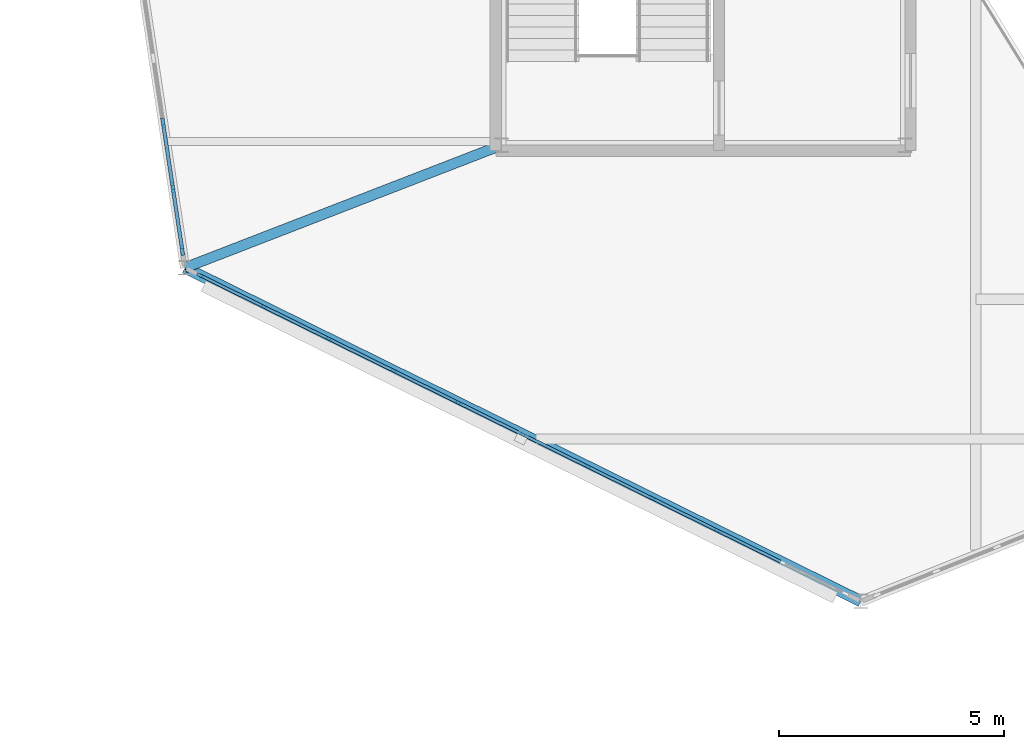
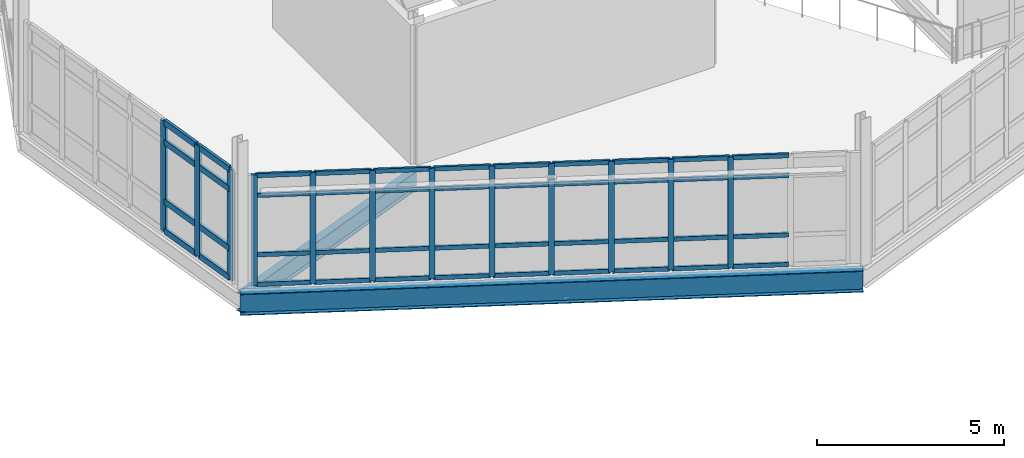
# One storey, part 14 of 76: 56 members, 2 beams, 2 elements without a shape of their own.
"""IFC4 building model written with IfcOpenShell, lengths in metres."""

from ifc_helpers import new_model, si_unit, direction, frame, origin, origin_2d, place, context, subcontext, project, spatial, rectangle, i_section, extrude, material, material_profile, profile_set, type_object, element, aggregate, save


model = new_model("IFC4")

# Units and contexts
model_context = context("Model", 3, precision=1e-05, world=origin(), true_north=direction((0.0, 1.0)))
body_context = subcontext(model_context, "Body", "Model", "MODEL_VIEW")
ifc_project = project(units=[si_unit("LENGTHUNIT", "METRE"), si_unit("AREAUNIT", "SQUARE_METRE"), si_unit("VOLUMEUNIT", "CUBIC_METRE"), si_unit("PLANEANGLEUNIT", "RADIAN"), si_unit("MASSUNIT", "GRAM", prefix="KILO")], contexts=[model_context])

# Site, building, storey
site_placement = place(None, origin())
site = spatial("IfcSite", under=ifc_project, at=site_placement, CompositionType="ELEMENT")
building_placement = place(site_placement, origin())
building = spatial("IfcBuilding", under=site, at=building_placement, Name="Tameran Prism Museum", CompositionType="ELEMENT")
storey_placement = place(building_placement, frame((0.0, 0.0, 15.0)))
storey = spatial("IfcBuildingStorey", under=building, at=storey_placement, Name="L03", CompositionType="ELEMENT", Elevation=15.0)

# Beams
ifc_material_1 = material(Name="Steel Grade 350 (350 MPa)", Category="steel")
ifc_material_profile_1 = material_profile(ifc_material_1, i_section(OverallWidth=0.25, OverallDepth=0.699951171875, WebThickness=0.010009765625, FlangeThickness=0.02001953125, at=origin_2d()))
ifc_profile_set_1 = profile_set([ifc_material_profile_1])
beam_type_1 = type_object("IfcBeamType", Name="BM-SP700", PredefinedType="SPANDREL", material=ifc_profile_set_1)
beam_1_placement = place(storey_placement, frame((51.0, 30.199951171875, -0.550048828125), z_axis=(0.896808201334, -0.44241954073, 0.0), x_axis=(0.44241954073, 0.896808201334, 0.0)))
element("IfcBeam", 1, at=beam_1_placement, inside=storey, type_object=beam_type_1, Name="Perimeter Spandrel SP-0956", PredefinedType="SPANDREL", context=body_context, shape_type="SweptSolid", body=[
    extrude(i_section(OverallWidth=0.25, OverallDepth=0.699951171875, WebThickness=0.010009765625, FlangeThickness=0.02001953125, at=origin_2d()), origin(), (0.0, 0.0, 1.0), 16.72607421875),
])
ifc_material_2 = material(Name="Steel Grade 300PLUS (300 MPa)", Category="steel")
ifc_material_profile_2 = material_profile(ifc_material_2, i_section(OverallWidth=0.22900390625, OverallDepth=0.612060546875, WebThickness=0.011962890625, FlangeThickness=0.01953125, FilletRadius=0.013916015625, at=origin_2d()))
ifc_profile_set_2 = profile_set([ifc_material_profile_2])
beam_type_2 = type_object("IfcBeamType", Name="BM-UB610A", PredefinedType="BEAM", material=ifc_profile_set_2)
beam_2_placement = place(storey_placement, frame((58.02001953125, 32.919921875, -0.56005859375), z_axis=(-0.932454302141, -0.361287938379, 0.0), x_axis=(0.361287938379, -0.932454302141, 0.0)))
element("IfcBeam", 2, at=beam_2_placement, inside=storey, type_object=beam_type_2, Name="Frame Tie Girder FG-1413", PredefinedType="BEAM", context=body_context, shape_type="SweptSolid", body=[
    extrude(i_section(OverallWidth=0.22900390625, OverallDepth=0.612060546875, WebThickness=0.011962890625, FlangeThickness=0.01953125, FilletRadius=0.013916015625, at=origin_2d()), origin(), (0.0, 0.0, 1.0), 7.528564453125),
])

# Curtain wall, members
ifc_material_3 = material(Name="Anodised Aluminium 6063-T6 and Cyclone Solar Glass", Category="aluminium")
curtain_wall_type_1 = type_object("IfcCurtainWallType", Name="CW-FAC-1603x362", PredefinedType="USERDEFINED", material=ifc_material_3)
curtain_wall_1_placement = place(storey_placement, origin())
curtain_wall_1 = element("IfcCurtainWall", 3, at=curtain_wall_1_placement, inside=storey, type_object=curtain_wall_type_1, Name="Unitised Curtain Wall CW-135", ObjectType="UNITISED CURTAIN WALL", PredefinedType="USERDEFINED")
ifc_material_4 = material(Name="Anodised Aluminium Alloy 6063-T6", Category="aluminium")
ifc_material_profile_3 = material_profile(ifc_material_4, rectangle(XDim=0.06494140625, YDim=0.159912109375, at=origin_2d()))
ifc_profile_set_3 = profile_set([ifc_material_profile_3])
member_type_1 = type_object("IfcMemberType", Name="CW-MUL-A", PredefinedType="MULLION", material=ifc_profile_set_3)
member_1_placement = place(storey_placement, frame((62.8115234375, 24.373046875, 0.0), z_axis=(0.0, 0.0, 1.0), x_axis=(-0.44241486846, -0.896810506275, 0.0)))
member_1 = element("IfcMember", 4, at=member_1_placement, type_object=member_type_1, Name="CW-135 mullion 3", PredefinedType="MULLION", context=body_context, shape_type="SweptSolid", body=[
    extrude(rectangle(XDim=0.06494140625, YDim=0.159912109375, at=origin_2d()), origin(), (0.0, 0.0, 1.0), 3.6201171875),
])
member_2_placement = place(storey_placement, frame((61.37451171875, 25.08203125, 0.0), z_axis=(0.0, 0.0, 1.0), x_axis=(-0.44241486846, -0.896810506275, 0.0)))
member_2 = element("IfcMember", 5, at=member_2_placement, type_object=member_type_1, Name="CW-135 mullion 4", PredefinedType="MULLION", context=body_context, shape_type="SweptSolid", body=[
    extrude(rectangle(XDim=0.06494140625, YDim=0.159912109375, at=origin_2d()), origin(), (0.0, 0.0, 1.0), 3.6201171875),
])
member_3_placement = place(storey_placement, frame((59.937255859375, 25.791015625, 0.0), z_axis=(0.0, 0.0, 1.0), x_axis=(-0.44241486846, -0.896810506275, 0.0)))
member_3 = element("IfcMember", 6, at=member_3_placement, type_object=member_type_1, Name="CW-135 mullion 5", PredefinedType="MULLION", context=body_context, shape_type="SweptSolid", body=[
    extrude(rectangle(XDim=0.06494140625, YDim=0.159912109375, at=origin_2d()), origin(), (0.0, 0.0, 1.0), 3.6201171875),
])
member_4_placement = place(storey_placement, frame((58.5, 26.5, 0.0), z_axis=(0.0, 0.0, 1.0), x_axis=(-0.44241486846, -0.896810506275, 0.0)))
member_4 = element("IfcMember", 7, at=member_4_placement, type_object=member_type_1, Name="CW-135 mullion 6", PredefinedType="MULLION", context=body_context, shape_type="SweptSolid", body=[
    extrude(rectangle(XDim=0.06494140625, YDim=0.159912109375, at=origin_2d()), origin(), (0.0, 0.0, 1.0), 3.6201171875),
])
member_5_placement = place(storey_placement, frame((57.062744140625, 27.208984375, 0.0), z_axis=(0.0, 0.0, 1.0), x_axis=(-0.44241486846, -0.896810506275, 0.0)))
member_5 = element("IfcMember", 8, at=member_5_placement, type_object=member_type_1, Name="CW-135 mullion 7", PredefinedType="MULLION", context=body_context, shape_type="SweptSolid", body=[
    extrude(rectangle(XDim=0.06494140625, YDim=0.159912109375, at=origin_2d()), origin(), (0.0, 0.0, 1.0), 3.6201171875),
])
member_6_placement = place(storey_placement, frame((55.62548828125, 27.91796875, 0.0), z_axis=(0.0, 0.0, 1.0), x_axis=(-0.44241486846, -0.896810506275, 0.0)))
member_6 = element("IfcMember", 9, at=member_6_placement, type_object=member_type_1, Name="CW-135 mullion 8", PredefinedType="MULLION", context=body_context, shape_type="SweptSolid", body=[
    extrude(rectangle(XDim=0.06494140625, YDim=0.159912109375, at=origin_2d()), origin(), (0.0, 0.0, 1.0), 3.6201171875),
])
member_7_placement = place(storey_placement, frame((54.1884765625, 28.626953125, 0.0), z_axis=(0.0, 0.0, 1.0), x_axis=(-0.44241486846, -0.896810506275, 0.0)))
member_7 = element("IfcMember", 10, at=member_7_placement, type_object=member_type_1, Name="CW-135 mullion 9", PredefinedType="MULLION", context=body_context, shape_type="SweptSolid", body=[
    extrude(rectangle(XDim=0.06494140625, YDim=0.159912109375, at=origin_2d()), origin(), (0.0, 0.0, 1.0), 3.6201171875),
])
member_8_placement = place(storey_placement, frame((52.751220703125, 29.3359375, 0.0), z_axis=(0.0, 0.0, 1.0), x_axis=(-0.44241486846, -0.896810506275, 0.0)))
member_8 = element("IfcMember", 11, at=member_8_placement, type_object=member_type_1, Name="CW-135 mullion 10", PredefinedType="MULLION", context=body_context, shape_type="SweptSolid", body=[
    extrude(rectangle(XDim=0.06494140625, YDim=0.159912109375, at=origin_2d()), origin(), (0.0, 0.0, 1.0), 3.6201171875),
])
member_9_placement = place(storey_placement, frame((51.34326171875, 30.030517578125, 0.0), z_axis=(0.0, 0.0, 1.0), x_axis=(-0.44241486846, -0.896810506275, 0.0)))
member_9 = element("IfcMember", 12, at=member_9_placement, type_object=member_type_1, Name="CW-135 mullion 11", PredefinedType="MULLION", context=body_context, shape_type="SweptSolid", body=[
    extrude(rectangle(XDim=0.06494140625, YDim=0.159912109375, at=origin_2d()), origin(), (0.0, 0.0, 1.0), 3.6201171875),
])

ifc_material_5 = material(Name="Anodised Aluminium 6063-T6 and Cyclone Solar Glass", Category="aluminium")
curtain_wall_type_2 = type_object("IfcCurtainWallType", Name="CW-FAC-870x362", PredefinedType="USERDEFINED", material=ifc_material_5)
curtain_wall_2_placement = place(storey_placement, origin())
curtain_wall_2 = element("IfcCurtainWall", 13, at=curtain_wall_2_placement, inside=storey, type_object=curtain_wall_type_2, Name="Unitised Curtain Wall CW-134", ObjectType="UNITISED CURTAIN WALL", PredefinedType="USERDEFINED")
ifc_material_6 = material(Name="Anodised Aluminium Alloy 6063-T6", Category="aluminium")
ifc_material_profile_4 = material_profile(ifc_material_6, rectangle(XDim=0.080078125, YDim=0.219970703125, at=origin_2d()))
ifc_profile_set_4 = profile_set([ifc_material_profile_4])
member_type_2 = type_object("IfcMemberType", Name="CW-MUL-D", PredefinedType="MULLION", material=ifc_profile_set_4)
member_10_placement = place(storey_placement, frame((50.942138671875, 30.58544921875, 0.0), z_axis=(0.0, 0.0, 1.0), x_axis=(-0.988855314933, -0.148879703546, 0.0)))
member_10 = element("IfcMember", 14, at=member_10_placement, type_object=member_type_2, Name="CW-134 mullion 1", PredefinedType="MULLION", context=body_context, shape_type="SweptSolid", body=[
    extrude(rectangle(XDim=0.080078125, YDim=0.219970703125, at=origin_2d()), origin(), (0.0, 0.0, 1.0), 3.6201171875),
])
member_11_placement = place(storey_placement, frame((50.73193359375, 31.980712890625, 0.0), z_axis=(0.0, 0.0, 1.0), x_axis=(-0.988855314933, -0.148879703546, 0.0)))
member_11 = element("IfcMember", 15, at=member_11_placement, type_object=member_type_2, Name="CW-134 mullion 2", PredefinedType="MULLION", context=body_context, shape_type="SweptSolid", body=[
    extrude(rectangle(XDim=0.080078125, YDim=0.219970703125, at=origin_2d()), origin(), (0.0, 0.0, 1.0), 3.6201171875),
])
member_12_placement = place(storey_placement, frame((50.51611328125, 33.415283203125, 0.0), z_axis=(0.0, 0.0, 1.0), x_axis=(-0.988855314933, -0.148879703546, 0.0)))
member_12 = element("IfcMember", 16, at=member_12_placement, type_object=member_type_2, Name="CW-134 mullion 3", PredefinedType="MULLION", context=body_context, shape_type="SweptSolid", body=[
    extrude(rectangle(XDim=0.080078125, YDim=0.219970703125, at=origin_2d()), origin(), (0.0, 0.0, 1.0), 3.6201171875),
])

# Member
ifc_material_7 = material(Name="Anodised Aluminium Alloy 6063-T6", Category="aluminium")
ifc_material_profile_5 = material_profile(ifc_material_7, rectangle(XDim=0.06494140625, YDim=0.139892578125, at=origin_2d()))
ifc_profile_set_5 = profile_set([ifc_material_profile_5])
member_type_3 = type_object("IfcMemberType", Name="CW-TRN-A", PredefinedType="USERDEFINED", material=ifc_profile_set_5)
member_13_placement = place(storey_placement, frame((64.2197265625, 23.678466796875, 0.032470703125), z_axis=(-0.896827724243, 0.442379964543, 0.0), x_axis=(-0.442379964543, -0.896827724243, 0.0)))
member_13 = element("IfcMember", 17, at=member_13_placement, type_object=member_type_3, Name="CW-135 transom 2.1", ObjectType="TRANSOM", PredefinedType="USERDEFINED", context=body_context, shape_type="SweptSolid", body=[
    extrude(rectangle(XDim=0.06494140625, YDim=0.139892578125, at=origin_2d()), origin(), (0.0, 0.0, 1.0), 1.53759765625),
])

member_14_placement = place(storey_placement, frame((64.2197265625, 23.678466796875, 1.0), z_axis=(-0.896827724243, 0.442379964543, 0.0), x_axis=(-0.442379964543, -0.896827724243, 0.0)))
member_14 = element("IfcMember", 18, at=member_14_placement, type_object=member_type_3, Name="CW-135 transom 2.2", ObjectType="TRANSOM", PredefinedType="USERDEFINED", context=body_context, shape_type="SweptSolid", body=[
    extrude(rectangle(XDim=0.06494140625, YDim=0.139892578125, at=origin_2d()), origin(), (0.0, 0.0, 1.0), 1.53759765625),
])

member_15_placement = place(storey_placement, frame((64.2197265625, 23.678466796875, 2.93994140625), z_axis=(-0.896827724243, 0.442379964543, 0.0), x_axis=(-0.442379964543, -0.896827724243, 0.0)))
member_15 = element("IfcMember", 19, at=member_15_placement, type_object=member_type_3, Name="CW-135 transom 2.3", ObjectType="TRANSOM", PredefinedType="USERDEFINED", context=body_context, shape_type="SweptSolid", body=[
    extrude(rectangle(XDim=0.06494140625, YDim=0.139892578125, at=origin_2d()), origin(), (0.0, 0.0, 1.0), 1.53759765625),
])

member_16_placement = place(storey_placement, frame((64.2197265625, 23.678466796875, 3.58740234375), z_axis=(-0.896827724243, 0.442379964543, 0.0), x_axis=(-0.442379964543, -0.896827724243, 0.0)))
member_16 = element("IfcMember", 20, at=member_16_placement, type_object=member_type_3, Name="CW-135 transom 2.4", ObjectType="TRANSOM", PredefinedType="USERDEFINED", context=body_context, shape_type="SweptSolid", body=[
    extrude(rectangle(XDim=0.06494140625, YDim=0.139892578125, at=origin_2d()), origin(), (0.0, 0.0, 1.0), 1.53759765625),
])

member_17_placement = place(storey_placement, frame((62.782470703125, 24.387451171875, 0.032470703125), z_axis=(-0.896827724243, 0.442379964543, 0.0), x_axis=(-0.442379964543, -0.896827724243, 0.0)))
member_17 = element("IfcMember", 21, at=member_17_placement, type_object=member_type_3, Name="CW-135 transom 3.1", ObjectType="TRANSOM", PredefinedType="USERDEFINED", context=body_context, shape_type="SweptSolid", body=[
    extrude(rectangle(XDim=0.06494140625, YDim=0.139892578125, at=origin_2d()), origin(), (0.0, 0.0, 1.0), 1.53759765625),
])

member_18_placement = place(storey_placement, frame((62.782470703125, 24.387451171875, 1.0), z_axis=(-0.896827724243, 0.442379964543, 0.0), x_axis=(-0.442379964543, -0.896827724243, 0.0)))
member_18 = element("IfcMember", 22, at=member_18_placement, type_object=member_type_3, Name="CW-135 transom 3.2", ObjectType="TRANSOM", PredefinedType="USERDEFINED", context=body_context, shape_type="SweptSolid", body=[
    extrude(rectangle(XDim=0.06494140625, YDim=0.139892578125, at=origin_2d()), origin(), (0.0, 0.0, 1.0), 1.53759765625),
])

member_19_placement = place(storey_placement, frame((62.782470703125, 24.387451171875, 2.93994140625), z_axis=(-0.896827724243, 0.442379964543, 0.0), x_axis=(-0.442379964543, -0.896827724243, 0.0)))
member_19 = element("IfcMember", 23, at=member_19_placement, type_object=member_type_3, Name="CW-135 transom 3.3", ObjectType="TRANSOM", PredefinedType="USERDEFINED", context=body_context, shape_type="SweptSolid", body=[
    extrude(rectangle(XDim=0.06494140625, YDim=0.139892578125, at=origin_2d()), origin(), (0.0, 0.0, 1.0), 1.53759765625),
])

member_20_placement = place(storey_placement, frame((62.782470703125, 24.387451171875, 3.58740234375), z_axis=(-0.896827724243, 0.442379964543, 0.0), x_axis=(-0.442379964543, -0.896827724243, 0.0)))
member_20 = element("IfcMember", 24, at=member_20_placement, type_object=member_type_3, Name="CW-135 transom 3.4", ObjectType="TRANSOM", PredefinedType="USERDEFINED", context=body_context, shape_type="SweptSolid", body=[
    extrude(rectangle(XDim=0.06494140625, YDim=0.139892578125, at=origin_2d()), origin(), (0.0, 0.0, 1.0), 1.53759765625),
])

member_21_placement = place(storey_placement, frame((61.34521484375, 25.096435546875, 0.032470703125), z_axis=(-0.896827724243, 0.442379964543, 0.0), x_axis=(-0.442379964543, -0.896827724243, 0.0)))
member_21 = element("IfcMember", 25, at=member_21_placement, type_object=member_type_3, Name="CW-135 transom 4.1", ObjectType="TRANSOM", PredefinedType="USERDEFINED", context=body_context, shape_type="SweptSolid", body=[
    extrude(rectangle(XDim=0.06494140625, YDim=0.139892578125, at=origin_2d()), origin(), (0.0, 0.0, 1.0), 1.53759765625),
])

member_22_placement = place(storey_placement, frame((61.34521484375, 25.096435546875, 1.0), z_axis=(-0.896827724243, 0.442379964543, 0.0), x_axis=(-0.442379964543, -0.896827724243, 0.0)))
member_22 = element("IfcMember", 26, at=member_22_placement, type_object=member_type_3, Name="CW-135 transom 4.2", ObjectType="TRANSOM", PredefinedType="USERDEFINED", context=body_context, shape_type="SweptSolid", body=[
    extrude(rectangle(XDim=0.06494140625, YDim=0.139892578125, at=origin_2d()), origin(), (0.0, 0.0, 1.0), 1.53759765625),
])

member_23_placement = place(storey_placement, frame((61.34521484375, 25.096435546875, 2.93994140625), z_axis=(-0.896827724243, 0.442379964543, 0.0), x_axis=(-0.442379964543, -0.896827724243, 0.0)))
member_23 = element("IfcMember", 27, at=member_23_placement, type_object=member_type_3, Name="CW-135 transom 4.3", ObjectType="TRANSOM", PredefinedType="USERDEFINED", context=body_context, shape_type="SweptSolid", body=[
    extrude(rectangle(XDim=0.06494140625, YDim=0.139892578125, at=origin_2d()), origin(), (0.0, 0.0, 1.0), 1.53759765625),
])

member_24_placement = place(storey_placement, frame((61.34521484375, 25.096435546875, 3.58740234375), z_axis=(-0.896827724243, 0.442379964543, 0.0), x_axis=(-0.442379964543, -0.896827724243, 0.0)))
member_24 = element("IfcMember", 28, at=member_24_placement, type_object=member_type_3, Name="CW-135 transom 4.4", ObjectType="TRANSOM", PredefinedType="USERDEFINED", context=body_context, shape_type="SweptSolid", body=[
    extrude(rectangle(XDim=0.06494140625, YDim=0.139892578125, at=origin_2d()), origin(), (0.0, 0.0, 1.0), 1.53759765625),
])

member_25_placement = place(storey_placement, frame((59.907958984375, 25.805419921875, 0.032470703125), z_axis=(-0.896827724243, 0.442379964543, 0.0), x_axis=(-0.442379964543, -0.896827724243, 0.0)))
member_25 = element("IfcMember", 29, at=member_25_placement, type_object=member_type_3, Name="CW-135 transom 5.1", ObjectType="TRANSOM", PredefinedType="USERDEFINED", context=body_context, shape_type="SweptSolid", body=[
    extrude(rectangle(XDim=0.06494140625, YDim=0.139892578125, at=origin_2d()), origin(), (0.0, 0.0, 1.0), 1.53759765625),
])

member_26_placement = place(storey_placement, frame((59.907958984375, 25.805419921875, 1.0), z_axis=(-0.896827724243, 0.442379964543, 0.0), x_axis=(-0.442379964543, -0.896827724243, 0.0)))
member_26 = element("IfcMember", 30, at=member_26_placement, type_object=member_type_3, Name="CW-135 transom 5.2", ObjectType="TRANSOM", PredefinedType="USERDEFINED", context=body_context, shape_type="SweptSolid", body=[
    extrude(rectangle(XDim=0.06494140625, YDim=0.139892578125, at=origin_2d()), origin(), (0.0, 0.0, 1.0), 1.53759765625),
])

member_27_placement = place(storey_placement, frame((59.907958984375, 25.805419921875, 2.93994140625), z_axis=(-0.896827724243, 0.442379964543, 0.0), x_axis=(-0.442379964543, -0.896827724243, 0.0)))
member_27 = element("IfcMember", 31, at=member_27_placement, type_object=member_type_3, Name="CW-135 transom 5.3", ObjectType="TRANSOM", PredefinedType="USERDEFINED", context=body_context, shape_type="SweptSolid", body=[
    extrude(rectangle(XDim=0.06494140625, YDim=0.139892578125, at=origin_2d()), origin(), (0.0, 0.0, 1.0), 1.53759765625),
])

member_28_placement = place(storey_placement, frame((59.907958984375, 25.805419921875, 3.58740234375), z_axis=(-0.896827724243, 0.442379964543, 0.0), x_axis=(-0.442379964543, -0.896827724243, 0.0)))
member_28 = element("IfcMember", 32, at=member_28_placement, type_object=member_type_3, Name="CW-135 transom 5.4", ObjectType="TRANSOM", PredefinedType="USERDEFINED", context=body_context, shape_type="SweptSolid", body=[
    extrude(rectangle(XDim=0.06494140625, YDim=0.139892578125, at=origin_2d()), origin(), (0.0, 0.0, 1.0), 1.53759765625),
])

member_29_placement = place(storey_placement, frame((58.470947265625, 26.514404296875, 0.032470703125), z_axis=(-0.896827724243, 0.442379964543, 0.0), x_axis=(-0.442379964543, -0.896827724243, 0.0)))
member_29 = element("IfcMember", 33, at=member_29_placement, type_object=member_type_3, Name="CW-135 transom 6.1", ObjectType="TRANSOM", PredefinedType="USERDEFINED", context=body_context, shape_type="SweptSolid", body=[
    extrude(rectangle(XDim=0.06494140625, YDim=0.139892578125, at=origin_2d()), origin(), (0.0, 0.0, 1.0), 1.53759765625),
])

member_30_placement = place(storey_placement, frame((58.470947265625, 26.514404296875, 1.0), z_axis=(-0.896827724243, 0.442379964543, 0.0), x_axis=(-0.442379964543, -0.896827724243, 0.0)))
member_30 = element("IfcMember", 34, at=member_30_placement, type_object=member_type_3, Name="CW-135 transom 6.2", ObjectType="TRANSOM", PredefinedType="USERDEFINED", context=body_context, shape_type="SweptSolid", body=[
    extrude(rectangle(XDim=0.06494140625, YDim=0.139892578125, at=origin_2d()), origin(), (0.0, 0.0, 1.0), 1.53759765625),
])

member_31_placement = place(storey_placement, frame((58.470947265625, 26.514404296875, 2.93994140625), z_axis=(-0.896827724243, 0.442379964543, 0.0), x_axis=(-0.442379964543, -0.896827724243, 0.0)))
member_31 = element("IfcMember", 35, at=member_31_placement, type_object=member_type_3, Name="CW-135 transom 6.3", ObjectType="TRANSOM", PredefinedType="USERDEFINED", context=body_context, shape_type="SweptSolid", body=[
    extrude(rectangle(XDim=0.06494140625, YDim=0.139892578125, at=origin_2d()), origin(), (0.0, 0.0, 1.0), 1.53759765625),
])

member_32_placement = place(storey_placement, frame((58.470947265625, 26.514404296875, 3.58740234375), z_axis=(-0.896827724243, 0.442379964543, 0.0), x_axis=(-0.442379964543, -0.896827724243, 0.0)))
member_32 = element("IfcMember", 36, at=member_32_placement, type_object=member_type_3, Name="CW-135 transom 6.4", ObjectType="TRANSOM", PredefinedType="USERDEFINED", context=body_context, shape_type="SweptSolid", body=[
    extrude(rectangle(XDim=0.06494140625, YDim=0.139892578125, at=origin_2d()), origin(), (0.0, 0.0, 1.0), 1.53759765625),
])

member_33_placement = place(storey_placement, frame((57.03369140625, 27.223388671875, 0.032470703125), z_axis=(-0.896827724243, 0.442379964543, 0.0), x_axis=(-0.442379964543, -0.896827724243, 0.0)))
member_33 = element("IfcMember", 37, at=member_33_placement, type_object=member_type_3, Name="CW-135 transom 7.1", ObjectType="TRANSOM", PredefinedType="USERDEFINED", context=body_context, shape_type="SweptSolid", body=[
    extrude(rectangle(XDim=0.06494140625, YDim=0.139892578125, at=origin_2d()), origin(), (0.0, 0.0, 1.0), 1.53759765625),
])

member_34_placement = place(storey_placement, frame((57.03369140625, 27.223388671875, 1.0), z_axis=(-0.896827724243, 0.442379964543, 0.0), x_axis=(-0.442379964543, -0.896827724243, 0.0)))
member_34 = element("IfcMember", 38, at=member_34_placement, type_object=member_type_3, Name="CW-135 transom 7.2", ObjectType="TRANSOM", PredefinedType="USERDEFINED", context=body_context, shape_type="SweptSolid", body=[
    extrude(rectangle(XDim=0.06494140625, YDim=0.139892578125, at=origin_2d()), origin(), (0.0, 0.0, 1.0), 1.53759765625),
])

member_35_placement = place(storey_placement, frame((57.03369140625, 27.223388671875, 2.93994140625), z_axis=(-0.896827724243, 0.442379964543, 0.0), x_axis=(-0.442379964543, -0.896827724243, 0.0)))
member_35 = element("IfcMember", 39, at=member_35_placement, type_object=member_type_3, Name="CW-135 transom 7.3", ObjectType="TRANSOM", PredefinedType="USERDEFINED", context=body_context, shape_type="SweptSolid", body=[
    extrude(rectangle(XDim=0.06494140625, YDim=0.139892578125, at=origin_2d()), origin(), (0.0, 0.0, 1.0), 1.53759765625),
])

member_36_placement = place(storey_placement, frame((57.03369140625, 27.223388671875, 3.58740234375), z_axis=(-0.896827724243, 0.442379964543, 0.0), x_axis=(-0.442379964543, -0.896827724243, 0.0)))
member_36 = element("IfcMember", 40, at=member_36_placement, type_object=member_type_3, Name="CW-135 transom 7.4", ObjectType="TRANSOM", PredefinedType="USERDEFINED", context=body_context, shape_type="SweptSolid", body=[
    extrude(rectangle(XDim=0.06494140625, YDim=0.139892578125, at=origin_2d()), origin(), (0.0, 0.0, 1.0), 1.53759765625),
])

member_37_placement = place(storey_placement, frame((55.596435546875, 27.932373046875, 0.032470703125), z_axis=(-0.896827724243, 0.442379964543, 0.0), x_axis=(-0.442379964543, -0.896827724243, 0.0)))
member_37 = element("IfcMember", 41, at=member_37_placement, type_object=member_type_3, Name="CW-135 transom 8.1", ObjectType="TRANSOM", PredefinedType="USERDEFINED", context=body_context, shape_type="SweptSolid", body=[
    extrude(rectangle(XDim=0.06494140625, YDim=0.139892578125, at=origin_2d()), origin(), (0.0, 0.0, 1.0), 1.53759765625),
])

member_38_placement = place(storey_placement, frame((55.596435546875, 27.932373046875, 1.0), z_axis=(-0.896827724243, 0.442379964543, 0.0), x_axis=(-0.442379964543, -0.896827724243, 0.0)))
member_38 = element("IfcMember", 42, at=member_38_placement, type_object=member_type_3, Name="CW-135 transom 8.2", ObjectType="TRANSOM", PredefinedType="USERDEFINED", context=body_context, shape_type="SweptSolid", body=[
    extrude(rectangle(XDim=0.06494140625, YDim=0.139892578125, at=origin_2d()), origin(), (0.0, 0.0, 1.0), 1.53759765625),
])

member_39_placement = place(storey_placement, frame((55.596435546875, 27.932373046875, 2.93994140625), z_axis=(-0.896827724243, 0.442379964543, 0.0), x_axis=(-0.442379964543, -0.896827724243, 0.0)))
member_39 = element("IfcMember", 43, at=member_39_placement, type_object=member_type_3, Name="CW-135 transom 8.3", ObjectType="TRANSOM", PredefinedType="USERDEFINED", context=body_context, shape_type="SweptSolid", body=[
    extrude(rectangle(XDim=0.06494140625, YDim=0.139892578125, at=origin_2d()), origin(), (0.0, 0.0, 1.0), 1.53759765625),
])

member_40_placement = place(storey_placement, frame((55.596435546875, 27.932373046875, 3.58740234375), z_axis=(-0.896827724243, 0.442379964543, 0.0), x_axis=(-0.442379964543, -0.896827724243, 0.0)))
member_40 = element("IfcMember", 44, at=member_40_placement, type_object=member_type_3, Name="CW-135 transom 8.4", ObjectType="TRANSOM", PredefinedType="USERDEFINED", context=body_context, shape_type="SweptSolid", body=[
    extrude(rectangle(XDim=0.06494140625, YDim=0.139892578125, at=origin_2d()), origin(), (0.0, 0.0, 1.0), 1.53759765625),
])

member_41_placement = place(storey_placement, frame((54.1591796875, 28.641357421875, 0.032470703125), z_axis=(-0.896827724243, 0.442379964543, 0.0), x_axis=(-0.442379964543, -0.896827724243, 0.0)))
member_41 = element("IfcMember", 45, at=member_41_placement, type_object=member_type_3, Name="CW-135 transom 9.1", ObjectType="TRANSOM", PredefinedType="USERDEFINED", context=body_context, shape_type="SweptSolid", body=[
    extrude(rectangle(XDim=0.06494140625, YDim=0.139892578125, at=origin_2d()), origin(), (0.0, 0.0, 1.0), 1.53759765625),
])

member_42_placement = place(storey_placement, frame((54.1591796875, 28.641357421875, 1.0), z_axis=(-0.896827724243, 0.442379964543, 0.0), x_axis=(-0.442379964543, -0.896827724243, 0.0)))
member_42 = element("IfcMember", 46, at=member_42_placement, type_object=member_type_3, Name="CW-135 transom 9.2", ObjectType="TRANSOM", PredefinedType="USERDEFINED", context=body_context, shape_type="SweptSolid", body=[
    extrude(rectangle(XDim=0.06494140625, YDim=0.139892578125, at=origin_2d()), origin(), (0.0, 0.0, 1.0), 1.53759765625),
])

member_43_placement = place(storey_placement, frame((54.1591796875, 28.641357421875, 2.93994140625), z_axis=(-0.896827724243, 0.442379964543, 0.0), x_axis=(-0.442379964543, -0.896827724243, 0.0)))
member_43 = element("IfcMember", 47, at=member_43_placement, type_object=member_type_3, Name="CW-135 transom 9.3", ObjectType="TRANSOM", PredefinedType="USERDEFINED", context=body_context, shape_type="SweptSolid", body=[
    extrude(rectangle(XDim=0.06494140625, YDim=0.139892578125, at=origin_2d()), origin(), (0.0, 0.0, 1.0), 1.53759765625),
])

member_44_placement = place(storey_placement, frame((54.1591796875, 28.641357421875, 3.58740234375), z_axis=(-0.896827724243, 0.442379964543, 0.0), x_axis=(-0.442379964543, -0.896827724243, 0.0)))
member_44 = element("IfcMember", 48, at=member_44_placement, type_object=member_type_3, Name="CW-135 transom 9.4", ObjectType="TRANSOM", PredefinedType="USERDEFINED", context=body_context, shape_type="SweptSolid", body=[
    extrude(rectangle(XDim=0.06494140625, YDim=0.139892578125, at=origin_2d()), origin(), (0.0, 0.0, 1.0), 1.53759765625),
])

member_45_placement = place(storey_placement, frame((52.72216796875, 29.350341796875, 0.032470703125), z_axis=(-0.896782715975, 0.442471197175, 0.0), x_axis=(-0.442471197175, -0.896782715975, 0.0)))
member_45 = element("IfcMember", 49, at=member_45_placement, type_object=member_type_3, Name="CW-135 transom 10.1", ObjectType="TRANSOM", PredefinedType="USERDEFINED", context=body_context, shape_type="SweptSolid", body=[
    extrude(rectangle(XDim=0.06494140625, YDim=0.139892578125, at=origin_2d()), origin(), (0.0, 0.0, 1.0), 1.505126953125),
])

member_46_placement = place(storey_placement, frame((52.72216796875, 29.350341796875, 1.0), z_axis=(-0.896782715975, 0.442471197175, 0.0), x_axis=(-0.442471197175, -0.896782715975, 0.0)))
member_46 = element("IfcMember", 50, at=member_46_placement, type_object=member_type_3, Name="CW-135 transom 10.2", ObjectType="TRANSOM", PredefinedType="USERDEFINED", context=body_context, shape_type="SweptSolid", body=[
    extrude(rectangle(XDim=0.06494140625, YDim=0.139892578125, at=origin_2d()), origin(), (0.0, 0.0, 1.0), 1.505126953125),
])

member_47_placement = place(storey_placement, frame((52.72216796875, 29.350341796875, 2.93994140625), z_axis=(-0.896782715975, 0.442471197175, 0.0), x_axis=(-0.442471197175, -0.896782715975, 0.0)))
member_47 = element("IfcMember", 51, at=member_47_placement, type_object=member_type_3, Name="CW-135 transom 10.3", ObjectType="TRANSOM", PredefinedType="USERDEFINED", context=body_context, shape_type="SweptSolid", body=[
    extrude(rectangle(XDim=0.06494140625, YDim=0.139892578125, at=origin_2d()), origin(), (0.0, 0.0, 1.0), 1.505126953125),
])

member_48_placement = place(storey_placement, frame((52.72216796875, 29.350341796875, 3.58740234375), z_axis=(-0.896782715975, 0.442471197175, 0.0), x_axis=(-0.442471197175, -0.896782715975, 0.0)))
member_48 = element("IfcMember", 52, at=member_48_placement, type_object=member_type_3, Name="CW-135 transom 10.4", ObjectType="TRANSOM", PredefinedType="USERDEFINED", context=body_context, shape_type="SweptSolid", body=[
    extrude(rectangle(XDim=0.06494140625, YDim=0.139892578125, at=origin_2d()), origin(), (0.0, 0.0, 1.0), 1.505126953125),
])

aggregate(curtain_wall_1, [member_1, member_2, member_3, member_4, member_5, member_6, member_7, member_8, member_9, member_13, member_14, member_15, member_16, member_17, member_18, member_19, member_20, member_21, member_22, member_23, member_24, member_25, member_26, member_27, member_28, member_29, member_30, member_31, member_32, member_33, member_34, member_35, member_36, member_37, member_38, member_39, member_40, member_41, member_42, member_43, member_44, member_45, member_46, member_47, member_48])

ifc_material_8 = material(Name="Anodised Aluminium Alloy 6063-T6", Category="aluminium")
ifc_material_profile_6 = material_profile(ifc_material_8, rectangle(XDim=0.080078125, YDim=0.195068359375, at=origin_2d()))
ifc_profile_set_6 = profile_set([ifc_material_profile_6])
member_type_4 = type_object("IfcMemberType", Name="CW-TRN-D", PredefinedType="USERDEFINED", material=ifc_profile_set_6)
member_49_placement = place(storey_placement, frame((50.93603515625, 30.625, 0.0400390625), z_axis=(-0.148762015321, 0.988873026631, 0.0), x_axis=(-0.988873026631, -0.148762015321, 0.0)))
member_49 = element("IfcMember", 53, at=member_49_placement, type_object=member_type_4, Name="CW-134 transom 1.1", ObjectType="TRANSOM", PredefinedType="USERDEFINED", context=body_context, shape_type="SweptSolid", body=[
    extrude(rectangle(XDim=0.080078125, YDim=0.195068359375, at=origin_2d()), origin(), (0.0, 0.0, 1.0), 1.3310546875),
])

member_50_placement = place(storey_placement, frame((50.93603515625, 30.625, 1.0), z_axis=(-0.148762015321, 0.988873026631, 0.0), x_axis=(-0.988873026631, -0.148762015321, 0.0)))
member_50 = element("IfcMember", 54, at=member_50_placement, type_object=member_type_4, Name="CW-134 transom 1.2", ObjectType="TRANSOM", PredefinedType="USERDEFINED", context=body_context, shape_type="SweptSolid", body=[
    extrude(rectangle(XDim=0.080078125, YDim=0.195068359375, at=origin_2d()), origin(), (0.0, 0.0, 1.0), 1.3310546875),
])

member_51_placement = place(storey_placement, frame((50.93603515625, 30.625, 2.93994140625), z_axis=(-0.148762015321, 0.988873026631, 0.0), x_axis=(-0.988873026631, -0.148762015321, 0.0)))
member_51 = element("IfcMember", 55, at=member_51_placement, type_object=member_type_4, Name="CW-134 transom 1.3", ObjectType="TRANSOM", PredefinedType="USERDEFINED", context=body_context, shape_type="SweptSolid", body=[
    extrude(rectangle(XDim=0.080078125, YDim=0.195068359375, at=origin_2d()), origin(), (0.0, 0.0, 1.0), 1.3310546875),
])

member_52_placement = place(storey_placement, frame((50.93603515625, 30.625, 3.580078125), z_axis=(-0.148762015321, 0.988873026631, 0.0), x_axis=(-0.988873026631, -0.148762015321, 0.0)))
member_52 = element("IfcMember", 56, at=member_52_placement, type_object=member_type_4, Name="CW-134 transom 1.4", ObjectType="TRANSOM", PredefinedType="USERDEFINED", context=body_context, shape_type="SweptSolid", body=[
    extrude(rectangle(XDim=0.080078125, YDim=0.195068359375, at=origin_2d()), origin(), (0.0, 0.0, 1.0), 1.3310546875),
])

member_53_placement = place(storey_placement, frame((50.72607421875, 32.020263671875, 0.0400390625), z_axis=(-0.148897831669, 0.988852585436, 0.0), x_axis=(-0.988852585436, -0.148897831669, 0.0)))
member_53 = element("IfcMember", 57, at=member_53_placement, type_object=member_type_4, Name="CW-134 transom 2.1", ObjectType="TRANSOM", PredefinedType="USERDEFINED", context=body_context, shape_type="SweptSolid", body=[
    extrude(rectangle(XDim=0.080078125, YDim=0.195068359375, at=origin_2d()), origin(), (0.0, 0.0, 1.0), 1.370849609375),
])

member_54_placement = place(storey_placement, frame((50.72607421875, 32.020263671875, 1.0), z_axis=(-0.148897831669, 0.988852585436, 0.0), x_axis=(-0.988852585436, -0.148897831669, 0.0)))
member_54 = element("IfcMember", 58, at=member_54_placement, type_object=member_type_4, Name="CW-134 transom 2.2", ObjectType="TRANSOM", PredefinedType="USERDEFINED", context=body_context, shape_type="SweptSolid", body=[
    extrude(rectangle(XDim=0.080078125, YDim=0.195068359375, at=origin_2d()), origin(), (0.0, 0.0, 1.0), 1.370849609375),
])

member_55_placement = place(storey_placement, frame((50.72607421875, 32.020263671875, 2.93994140625), z_axis=(-0.148897831669, 0.988852585436, 0.0), x_axis=(-0.988852585436, -0.148897831669, 0.0)))
member_55 = element("IfcMember", 59, at=member_55_placement, type_object=member_type_4, Name="CW-134 transom 2.3", ObjectType="TRANSOM", PredefinedType="USERDEFINED", context=body_context, shape_type="SweptSolid", body=[
    extrude(rectangle(XDim=0.080078125, YDim=0.195068359375, at=origin_2d()), origin(), (0.0, 0.0, 1.0), 1.370849609375),
])

member_56_placement = place(storey_placement, frame((50.72607421875, 32.020263671875, 3.580078125), z_axis=(-0.148897831669, 0.988852585436, 0.0), x_axis=(-0.988852585436, -0.148897831669, 0.0)))
member_56 = element("IfcMember", 60, at=member_56_placement, type_object=member_type_4, Name="CW-134 transom 2.4", ObjectType="TRANSOM", PredefinedType="USERDEFINED", context=body_context, shape_type="SweptSolid", body=[
    extrude(rectangle(XDim=0.080078125, YDim=0.195068359375, at=origin_2d()), origin(), (0.0, 0.0, 1.0), 1.370849609375),
])

aggregate(curtain_wall_2, [member_10, member_11, member_12, member_49, member_50, member_51, member_52, member_53, member_54, member_55, member_56])

save(model, "model.ifc")
